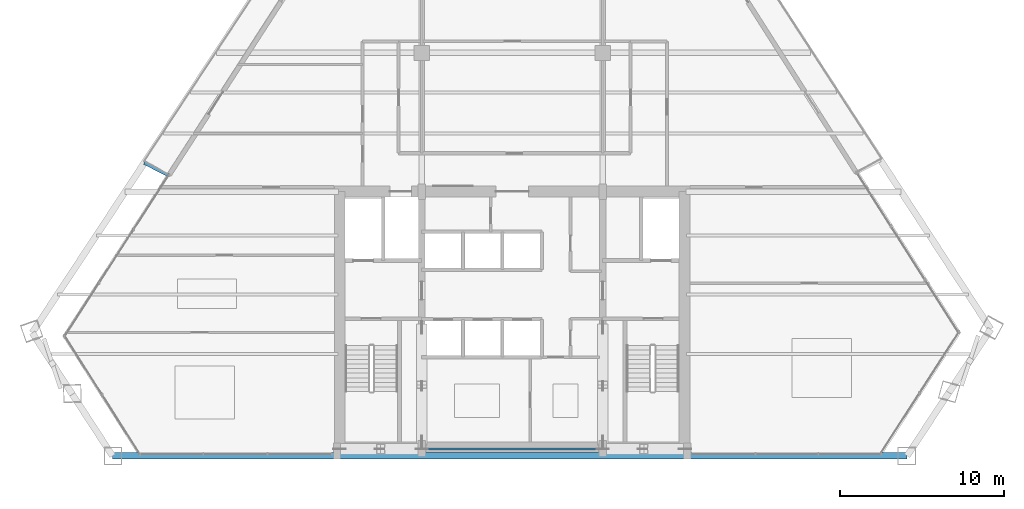
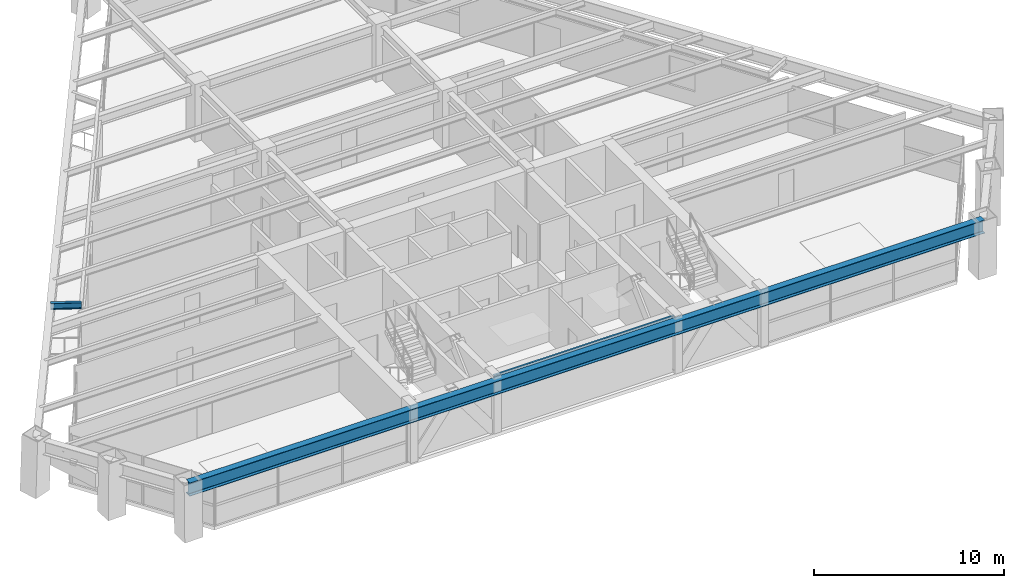
# One storey, part 3 of 15: 3 beams.
"""IFC4 building model written with IfcOpenShell, lengths in metres."""

from ifc_helpers import new_model, si_unit, direction, frame, origin, origin_2d, place, context, subcontext, project, spatial, i_section, extrude, source, transform, mapped, material, material_profile, profile_set, type_object, type_shapes, element, save


model = new_model("IFC4")

# Units and contexts
model_context = context("Model", 3, precision=1e-05, world=origin(), true_north=direction((0.0, 1.0)))
body_context = subcontext(model_context, "Body", "Model", "MODEL_VIEW")
ifc_project = project(units=[si_unit("LENGTHUNIT", "METRE"), si_unit("AREAUNIT", "SQUARE_METRE"), si_unit("VOLUMEUNIT", "CUBIC_METRE"), si_unit("PLANEANGLEUNIT", "RADIAN"), si_unit("MASSUNIT", "GRAM", prefix="KILO")], contexts=[model_context])

# Site, building, storey
site_placement = place(None, origin())
site = spatial("IfcSite", under=ifc_project, at=site_placement, CompositionType="ELEMENT")
building_placement = place(site_placement, origin())
building = spatial("IfcBuilding", under=site, at=building_placement, Name="Varnakhor Terracotta Tower", CompositionType="ELEMENT")
storey_placement = place(building_placement, frame((0.0, 0.0, 147.800048828125)))
storey = spatial("IfcBuildingStorey", under=building, at=storey_placement, Name="L37", CompositionType="ELEMENT", Elevation=147.800048828125)

# Beams
ifc_material = material(Name="Steel S355", Category="steel")
ifc_material_profile_1 = material_profile(ifc_material, i_section(OverallWidth=0.1201171875, OverallDepth=0.239990234375, WebThickness=0.006103515625, FlangeThickness=0.009765625, FilletRadius=0.01806640625, at=origin_2d()), Name="IPE240")
ifc_profile_set_1 = profile_set([ifc_material_profile_1], Name="Steel S355")
beam_type_1 = type_object("IfcBeamType", Name="LNT-IPE240", PredefinedType="LINTEL", material=ifc_profile_set_1)
shared_shape_1 = source(origin(), body_context, "Body", "SweptSolid", [
    extrude(i_section(OverallWidth=0.1201171875, OverallDepth=0.239990234375, WebThickness=0.006103515625, FlangeThickness=0.009765625, FilletRadius=0.01806640625, at=origin_2d()), origin(), (0.0, 0.0, 1.0), 11.0),
])
type_shapes(beam_type_1, [shared_shape_1])
beam_1_placement = place(storey_placement, frame((-5.5, 0.419921875, 3.349853515625), z_axis=(1.0, 0.0, 0.0), x_axis=(0.0, 1.0, 0.0)))
element("IfcBeam", 1, at=beam_1_placement, inside=storey, type_object=beam_type_1, Name="L37 Core South Coupling Lintel", PredefinedType="LINTEL", context=body_context, shape_type="MappedRepresentation", body=[
    mapped(shared_shape_1, transform((0.0, 0.0, 0.0), scale=1.0)),
])
ifc_material_profile_2 = material_profile(ifc_material, i_section(OverallWidth=0.39990234375, OverallDepth=0.85498046875, WebThickness=0.01806640625, FlangeThickness=0.029052734375, FilletRadius=0.01806640625, at=origin_2d()), Name="W33X201")
ifc_profile_set_2 = profile_set([ifc_material_profile_2], Name="Steel S355")
beam_type_2 = type_object("IfcBeamType", Name="BM-W33X201", PredefinedType="BEAM", material=ifc_profile_set_2)
shared_shape_2 = source(origin(), body_context, "Body", "SweptSolid", [
    extrude(i_section(OverallWidth=0.39990234375, OverallDepth=0.85498046875, WebThickness=0.01806640625, FlangeThickness=0.029052734375, FilletRadius=0.01806640625, at=origin_2d()), origin(), (0.0, 0.0, 1.0), 48.3037109375),
])
beam_2_placement = place(storey_placement, frame((-24.29736328125, 0.0, 3.04248046875), z_axis=(1.0, 0.0, 0.0), x_axis=(0.0, 1.0, 0.0)))
element("IfcBeam", 2, at=beam_2_placement, inside=storey, type_object=beam_type_2, Name="L37 Perimeter Spandrel 1", PredefinedType="BEAM", context=body_context, shape_type="MappedRepresentation", body=[
    mapped(shared_shape_2, transform((0.0, 0.0, 0.0), scale=1.0)),
])
ifc_material_profile_3 = material_profile(ifc_material, i_section(OverallWidth=0.179931640625, OverallDepth=0.39990234375, WebThickness=0.008544921875, FlangeThickness=0.013427734375, FilletRadius=0.01806640625, at=origin_2d()), Name="IPE400")
ifc_profile_set_3 = profile_set([ifc_material_profile_3], Name="Steel S355")
beam_type_3 = type_object("IfcBeamType", Name="JST-IPE400", PredefinedType="JOIST", material=ifc_profile_set_3)
shared_shape_3 = source(origin(), body_context, "Body", "SweptSolid", [
    extrude(i_section(OverallWidth=0.179931640625, OverallDepth=0.39990234375, WebThickness=0.008544921875, FlangeThickness=0.013427734375, FilletRadius=0.01806640625, at=origin_2d()), origin(), (0.0, 0.0, 1.0), 1.623046875),
])
beam_3_placement = place(storey_placement, frame((-20.927001953125, 17.072265625, 3.27001953125), z_axis=(-0.891337746272, 0.453339852728, 0.0), x_axis=(-0.453339852728, -0.891337746272, 0.0)))
element("IfcBeam", 3, at=beam_3_placement, inside=storey, type_object=beam_type_3, Name="L38 W Loggia Tie Beam 1", PredefinedType="JOIST", context=body_context, shape_type="MappedRepresentation", body=[
    mapped(shared_shape_3, transform((0.0, 0.0, 0.0), scale=1.0)),
])

save(model, "model.ifc")
